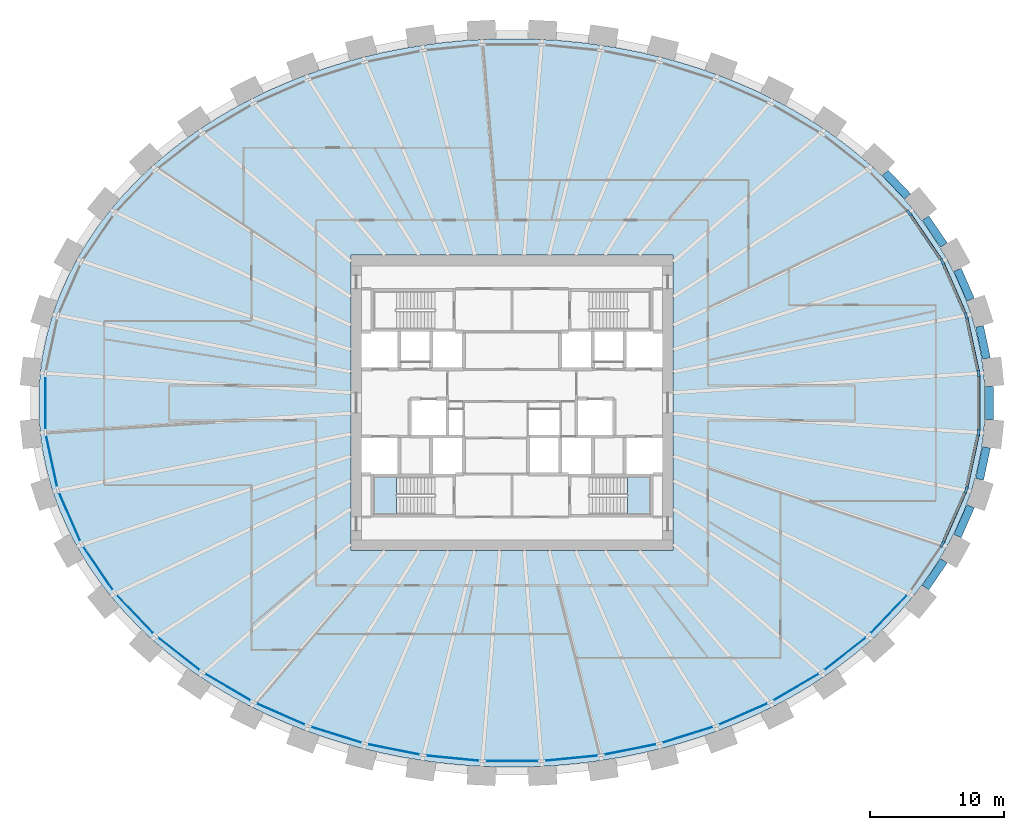
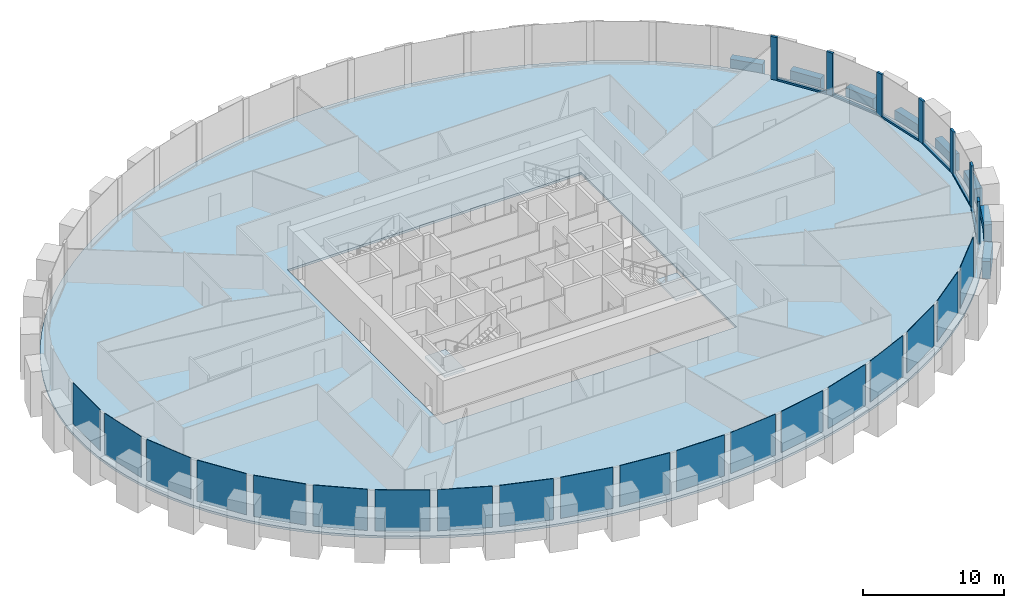
# One storey, part 4 of 11: 19 plates, 13 members, 8 beams, 3 slabs, 3 elements without a shape of their own.
"""IFC4 building model written with IfcOpenShell, lengths in metres."""

from ifc_helpers import new_model, si_unit, direction, frame, origin, origin_2d, place, context, subcontext, project, spatial, polyline, rectangle, outline, extrude, source, transform, mapped, material, layer, layer_set, material_profile, profile_set, type_object, element, aggregate, save


model = new_model("IFC4")

# Units and contexts
model_context = context("Model", 3, precision=1e-05, world=origin(), true_north=direction((0.0, 1.0)))
body_context = subcontext(model_context, "Body", "Model", "MODEL_VIEW")
ifc_project = project(units=[si_unit("LENGTHUNIT", "METRE"), si_unit("AREAUNIT", "SQUARE_METRE"), si_unit("VOLUMEUNIT", "CUBIC_METRE"), si_unit("PLANEANGLEUNIT", "RADIAN"), si_unit("MASSUNIT", "GRAM", prefix="KILO")], contexts=[model_context])

# Site, building, storey
site_placement = place(None, origin())
site = spatial("IfcSite", under=ifc_project, at=site_placement, CompositionType="ELEMENT")
building_placement = place(site_placement, origin())
building = spatial("IfcBuilding", under=site, at=building_placement, Name="Embergate Tower", CompositionType="ELEMENT")
storey_placement = place(building_placement, frame((0.0, 0.0, 199.5)))
storey = spatial("IfcBuildingStorey", under=building, at=storey_placement, Name="L45", CompositionType="ELEMENT", Elevation=199.5)

# Beams
ifc_material_1 = material(Name="Concrete C60", Category="concrete")
ifc_material_profile_1 = material_profile(ifc_material_1, rectangle(XDim=0.60009765625, YDim=1.5, at=origin_2d()), Name="RC 600x1500")
ifc_profile_set_1 = profile_set([ifc_material_profile_1], Name="Concrete C60")
beam_type = type_object("IfcBeamType", Name="Spandrel beam RC 600x1500 C60", PredefinedType="BEAM", material=ifc_profile_set_1)
shared_shape_1 = source(origin(), body_context, "Body", "SweptSolid", [
    extrude(rectangle(XDim=0.60009765625, YDim=1.5, at=origin_2d()), origin(), (0.0, 0.0, 1.0), 2.438720703125),
])
for number, where, z_axis, x_axis, name in (
    (1, (35.320068359375, 3.30908203125, 0.0), (-0.210438320614, 0.977607136439, 0.0), (-0.977607136439, -0.210438320614, 0.0), "SPN-L45-00"),
    (2, (34.806884765625, -5.693115234375, 0.0), (0.210438320614, 0.977607136439, 0.0), (-0.977607136439, 0.210438320614, 0.0), "SPN-L45-42"),
):
    element("IfcBeam", number, at=place(storey_placement, frame(where, z_axis=z_axis, x_axis=x_axis)), inside=storey, type_object=beam_type, Name=name, PredefinedType="BEAM", context=body_context, shape_type="MappedRepresentation", body=[
        mapped(shared_shape_1, transform((0.0, 0.0, 0.0))),
    ])
shared_shape_2 = source(origin(), body_context, "Body", "SweptSolid", [
    extrude(rectangle(XDim=0.60009765625, YDim=1.5, at=origin_2d()), origin(), (0.0, 0.0, 1.0), 2.431884765625),
])
for number, where, z_axis, x_axis, name in (
    (3, (34.14208984375, 7.68505859375, 0.0), (-0.401756025311, 0.915746742351, 0.0), (-0.915746742351, -0.401756025311, 0.0), "SPN-L45-01"),
    (4, (33.1650390625, -9.912109375, 0.0), (0.401756025311, 0.915746742351, 0.0), (-0.915746742351, 0.401756025311, 0.0), "SPN-L45-41"),
):
    element("IfcBeam", number, at=place(storey_placement, frame(where, z_axis=z_axis, x_axis=x_axis)), inside=storey, type_object=beam_type, Name=name, PredefinedType="BEAM", context=body_context, shape_type="MappedRepresentation", body=[
        mapped(shared_shape_2, transform((0.0, 0.0, 0.0))),
    ])
shared_shape_3 = source(origin(), body_context, "Body", "SweptSolid", [
    extrude(rectangle(XDim=0.60009765625, YDim=1.5, at=origin_2d()), origin(), (0.0, 0.0, 1.0), 2.42724609375),
])
for number, where, z_axis, x_axis, name in (
    (5, (32.14892578125, 11.7490234375, 0.0), (-0.562359541569, 0.826892826191, 0.0), (-0.826892826191, -0.562359541569, 0.0), "SPN-L45-02"),
    (6, (30.783935546875, -13.756103515625, 0.0), (0.562359541569, 0.826892826191, 0.0), (-0.826892826191, 0.562359541569, 0.0), "SPN-L45-40"),
):
    element("IfcBeam", number, at=place(storey_placement, frame(where, z_axis=z_axis, x_axis=x_axis)), inside=storey, type_object=beam_type, Name=name, PredefinedType="BEAM", context=body_context, shape_type="MappedRepresentation", body=[
        mapped(shared_shape_3, transform((0.0, 0.0, 0.0))),
    ])
shared_shape_4 = source(origin(), body_context, "Body", "SweptSolid", [
    extrude(rectangle(XDim=0.60009765625, YDim=1.5, at=origin_2d()), origin(), (0.0, 0.0, 1.0), 2.419677734375),
])
beam_1_placement = place(storey_placement, frame((29.448974609375, 15.376953125, 0.0), z_axis=(-0.69015890768, 0.723657848813, 0.0), x_axis=(-0.723657848813, -0.69015890768, 0.0)))
element("IfcBeam", 7, at=beam_1_placement, inside=storey, type_object=beam_type, Name="SPN-L45-03", PredefinedType="BEAM", context=body_context, shape_type="MappedRepresentation", body=[
    mapped(shared_shape_4, transform((0.0, 0.0, 0.0))),
])
shared_shape_5 = source(origin(), body_context, "Body", "SweptSolid", [
    extrude(rectangle(XDim=0.60009765625, YDim=1.5, at=origin_2d()), origin(), (0.0, 0.0, 1.0), 2.43994140625),
])
beam_2_placement = place(storey_placement, frame((35.5419921875, -1.219970703125, 0.0), z_axis=(0.0, 1.0, 0.0), x_axis=(-1.0, 0.0, 0.0)))
element("IfcBeam", 8, at=beam_2_placement, inside=storey, type_object=beam_type, Name="SPN-L45-43", PredefinedType="BEAM", context=body_context, shape_type="MappedRepresentation", body=[
    mapped(shared_shape_5, transform((0.0, 0.0, 0.0))),
])

# Curtain wall, members
ifc_material_2 = material(Name="Aluminium and glass", Category="aluminium")
curtain_wall_type = type_object("IfcCurtainWallType", Name="Recessed office glazing", PredefinedType="NOTDEFINED", material=ifc_material_2)
curtain_wall_placement = place(storey_placement, origin())
curtain_wall = element("IfcCurtainWall", 9, at=curtain_wall_placement, inside=storey, type_object=curtain_wall_type, Name="Recessed office glazing ring", ObjectType="RECESSED OFFICE GLAZING", PredefinedType="USERDEFINED")
ifc_material_3 = material(Name="Aluminium, thermally broken", Category="aluminium")
ifc_material_profile_2 = material_profile(ifc_material_3, rectangle(XDim=0.179931640625, YDim=0.52001953125, at=origin_2d()), Name="AL 520x180")
ifc_profile_set_2 = profile_set([ifc_material_profile_2], Name="Aluminium, thermally broken")
member_type_1 = type_object("IfcMemberType", Name="Office mullion", PredefinedType="MULLION", material=ifc_profile_set_2)
shared_shape_6 = source(origin(), body_context, "Body", "SweptSolid", [
    extrude(rectangle(XDim=0.179931640625, YDim=0.52001953125, at=origin_2d()), origin(), (0.0, 0.0, 1.0), 3.699951171875),
])
member_1_placement = place(storey_placement, frame((34.734619140625, 2.189697265625, 0.0), z_axis=(0.0, 0.0, 1.0), x_axis=(-0.994385139431, -0.105821521816, 0.0)))
member_1 = element("IfcMember", 10, at=member_1_placement, type_object=member_type_1, Name="CW mullion 1", PredefinedType="MULLION", context=body_context, shape_type="MappedRepresentation", body=[
    mapped(shared_shape_6, transform((0.0, 0.0, 0.0))),
])
member_2_placement = place(storey_placement, frame((33.812744140625, 6.473388671875, 0.0), z_axis=(0.0, 0.0, 1.0), x_axis=(-0.95149940886, -0.307650572791, 0.0)))
member_2 = element("IfcMember", 11, at=member_2_placement, type_object=member_type_1, Name="CW mullion 2", PredefinedType="MULLION", context=body_context, shape_type="MappedRepresentation", body=[
    mapped(shared_shape_6, transform((0.0, 0.0, 0.0))),
])
member_3_placement = place(storey_placement, frame((32.050048828125, 10.492431640625, 0.0), z_axis=(0.0, 0.0, 1.0), x_axis=(-0.875006120538, -0.484111855898, 0.0)))
member_3 = element("IfcMember", 12, at=member_3_placement, type_object=member_type_1, Name="CW mullion 3", PredefinedType="MULLION", context=body_context, shape_type="MappedRepresentation", body=[
    mapped(shared_shape_6, transform((0.0, 0.0, 0.0))),
])
member_4_placement = place(storey_placement, frame((29.577392578125, 14.128662109375, 0.0), z_axis=(0.0, 0.0, 1.0), x_axis=(-0.777879145133, -0.628413904658, 0.0)))
member_4 = element("IfcMember", 13, at=member_4_placement, type_object=member_type_1, Name="CW mullion 4", PredefinedType="MULLION", context=body_context, shape_type="MappedRepresentation", body=[
    mapped(shared_shape_6, transform((0.0, 0.0, 0.0))),
])
member_5_placement = place(storey_placement, frame((32.050048828125, -10.492431640625, 0.0), z_axis=(0.0, 0.0, 1.0), x_axis=(-0.875006120538, 0.484111855898, 0.0)))
member_5 = element("IfcMember", 14, at=member_5_placement, type_object=member_type_1, Name="CW mullion 42", PredefinedType="MULLION", context=body_context, shape_type="MappedRepresentation", body=[
    mapped(shared_shape_6, transform((0.0, 0.0, 0.0))),
])
member_6_placement = place(storey_placement, frame((33.812744140625, -6.473388671875, 0.0), z_axis=(0.0, 0.0, 1.0), x_axis=(-0.95149940886, 0.307650572791, 0.0)))
member_6 = element("IfcMember", 15, at=member_6_placement, type_object=member_type_1, Name="CW mullion 43", PredefinedType="MULLION", context=body_context, shape_type="MappedRepresentation", body=[
    mapped(shared_shape_6, transform((0.0, 0.0, 0.0))),
])
member_7_placement = place(storey_placement, frame((34.734619140625, -2.189697265625, 0.0), z_axis=(0.0, 0.0, 1.0), x_axis=(-0.994385139431, 0.105821521816, 0.0)))
member_7 = element("IfcMember", 16, at=member_7_placement, type_object=member_type_1, Name="CW mullion 44", PredefinedType="MULLION", context=body_context, shape_type="MappedRepresentation", body=[
    mapped(shared_shape_6, transform((0.0, 0.0, 0.0))),
])
ifc_material_profile_3 = material_profile(ifc_material_3, rectangle(XDim=0.179931640625, YDim=0.14990234375, at=origin_2d()), Name="AL 150x180")
ifc_profile_set_3 = profile_set([ifc_material_profile_3], Name="Aluminium, thermally broken")
member_type_2 = type_object("IfcMemberType", Name="Office sill transom", PredefinedType="USERDEFINED", material=ifc_profile_set_3)
shared_shape_7 = source(origin(), body_context, "Body", "SweptSolid", [
    extrude(rectangle(XDim=0.179931640625, YDim=0.14990234375, at=origin_2d()), origin(), (0.0, 0.0, 1.0), 3.861572265625),
])
member_8_placement = place(storey_placement, frame((34.679931640625, 2.44384765625, 0.074951171875), z_axis=(-0.210405488485, 0.97761420326, 0.0), x_axis=(-0.97761420326, -0.210405488485, 0.0)))
member_8 = element("IfcMember", 17, at=member_8_placement, type_object=member_type_2, Name="CW transom 1.1", ObjectType="TRANSOM", PredefinedType="USERDEFINED", context=body_context, shape_type="MappedRepresentation", body=[
    mapped(shared_shape_7, transform((0.0, 0.0, 0.0))),
])
member_9_placement = place(storey_placement, frame((33.867431640625, -6.218994140625, 0.074951171875), z_axis=(0.210405488485, 0.97761420326, 0.0), x_axis=(-0.97761420326, 0.210405488485, 0.0)))
member_9 = element("IfcMember", 18, at=member_9_placement, type_object=member_type_2, Name="CW transom 43.1", ObjectType="TRANSOM", PredefinedType="USERDEFINED", context=body_context, shape_type="MappedRepresentation", body=[
    mapped(shared_shape_7, transform((0.0, 0.0, 0.0))),
])
shared_shape_8 = source(origin(), body_context, "Body", "SweptSolid", [
    extrude(rectangle(XDim=0.179931640625, YDim=0.14990234375, at=origin_2d()), origin(), (0.0, 0.0, 1.0), 3.86865234375),
])
member_10_placement = place(storey_placement, frame((33.708251953125, 6.71142578125, 0.074951171875), z_axis=(-0.401613211287, 0.915809384381, 0.0), x_axis=(-0.915809384381, -0.401613211287, 0.0)))
member_10 = element("IfcMember", 19, at=member_10_placement, type_object=member_type_2, Name="CW transom 2.1", ObjectType="TRANSOM", PredefinedType="USERDEFINED", context=body_context, shape_type="MappedRepresentation", body=[
    mapped(shared_shape_8, transform((0.0, 0.0, 0.0))),
])
member_11_placement = place(storey_placement, frame((32.154541015625, -10.25439453125, 0.074951171875), z_axis=(0.401613211287, 0.915809384381, 0.0), x_axis=(-0.915809384381, 0.401613211287, 0.0)))
member_11 = element("IfcMember", 20, at=member_11_placement, type_object=member_type_2, Name="CW transom 42.1", ObjectType="TRANSOM", PredefinedType="USERDEFINED", context=body_context, shape_type="MappedRepresentation", body=[
    mapped(shared_shape_8, transform((0.0, 0.0, 0.0))),
])
shared_shape_9 = source(origin(), body_context, "Body", "SweptSolid", [
    extrude(rectangle(XDim=0.179931640625, YDim=0.14990234375, at=origin_2d()), origin(), (0.0, 0.0, 1.0), 3.87744140625),
])
member_12_placement = place(storey_placement, frame((31.90380859375, 10.70751953125, 0.074951171875), z_axis=(-0.562334132223, 0.826910106201, 0.0), x_axis=(-0.826910106201, -0.562334132223, 0.0)))
member_12 = element("IfcMember", 21, at=member_12_placement, type_object=member_type_2, Name="CW transom 3.1", ObjectType="TRANSOM", PredefinedType="USERDEFINED", context=body_context, shape_type="MappedRepresentation", body=[
    mapped(shared_shape_9, transform((0.0, 0.0, 0.0))),
])
shared_shape_10 = source(origin(), body_context, "Body", "SweptSolid", [
    extrude(rectangle(XDim=0.179931640625, YDim=0.14990234375, at=origin_2d()), origin(), (0.0, 0.0, 1.0), 3.859375),
])
member_13_placement = place(storey_placement, frame((34.734619140625, -1.9296875, 0.074951171875), z_axis=(0.0, 1.0, 0.0), x_axis=(-1.0, 0.0, 0.0)))
member_13 = element("IfcMember", 22, at=member_13_placement, type_object=member_type_2, Name="CW transom 44.1", ObjectType="TRANSOM", PredefinedType="USERDEFINED", context=body_context, shape_type="MappedRepresentation", body=[
    mapped(shared_shape_10, transform((0.0, 0.0, 0.0))),
])

# Slab
ifc_material_4 = material(Name="Concrete C40", Category="concrete")
ifc_layer_1 = layer(ifc_material_4, 0.199951171875)
ifc_layer_set_1 = layer_set([ifc_layer_1], Name="Concrete C40")
slab_type_1 = type_object("IfcSlabType", Name="Composite floor slab C40 200", PredefinedType="FLOOR", material=ifc_layer_set_1)
shared_shape_11 = source(origin(), body_context, "Body", "SweptSolid", [
    extrude(outline(polyline([(0.0, 0.0), (1.490234375, 0.0), (2.980224609375, 0.049072265625), (4.47021484375, 0.14599609375), (5.953125, 0.2919921875), (7.427001953125, 0.486083984375), (8.904052734375, 0.72998046875), (10.365234375, 1.02392578125), (11.80908203125, 1.364990234375), (13.256103515625, 1.760009765625), (14.67919921875, 2.203125), (16.0751953125, 2.693115234375), (17.47412109375, 3.242919921875), (18.840087890625, 3.840087890625), (20.169189453125, 4.48388671875), (21.498046875, 5.193115234375), (22.783203125, 5.947998046875), (24.02099609375, 6.748046875), (25.251220703125, 7.62109375), (26.426025390625, 8.5380859375), (27.543212890625, 9.4970703125), (28.63916015625, 10.534912109375), (29.667236328125, 11.613037109375), (30.625, 12.72900390625), (31.544189453125, 13.926025390625), (32.381103515625, 15.157958984375), (33.13623046875, 16.422119140625), (33.8271484375, 17.759033203125), (34.425048828125, 19.123046875), (34.92919921875, 20.510009765625), (35.34423828125, 21.949951171875), (35.658203125, 23.406005859375), (35.8671875, 24.873046875), (35.97412109375, 26.360107421875), (35.97412109375, 27.847900390625), (35.8671875, 29.3349609375), (35.658203125, 30.802001953125), (35.34423828125, 32.258056640625), (34.92919921875, 33.697998046875), (34.425048828125, 35.0849609375), (33.8271484375, 36.448974609375), (33.13623046875, 37.785888671875), (32.381103515625, 39.050048828125), (31.544189453125, 40.281982421875), (30.625, 41.47900390625), (29.667236328125, 42.594970703125), (28.63916015625, 43.673095703125), (27.543212890625, 44.7109375), (26.426025390625, 45.669921875), (25.251220703125, 46.5869140625), (24.02099609375, 47.4599609375), (22.783203125, 48.260009765625), (21.498046875, 49.014892578125), (20.169189453125, 49.72412109375), (18.840087890625, 50.367919921875), (17.47412109375, 50.965087890625), (16.0751953125, 51.514892578125), (14.67919921875, 52.0048828125), (13.256103515625, 52.447998046875), (11.80908203125, 52.843017578125), (10.365234375, 53.18408203125), (8.904052734375, 53.47802734375), (7.427001953125, 53.721923828125), (5.953125, 53.916015625), (4.47021484375, 54.06201171875), (2.980224609375, 54.158935546875), (1.490234375, 54.2080078125), (0.0, 54.2080078125), (-1.489990234375, 54.158935546875), (-2.97998046875, 54.06201171875), (-4.462890625, 53.916015625), (-5.936767578125, 53.721923828125), (-7.413818359375, 53.47802734375), (-8.875, 53.18408203125), (-10.31884765625, 52.843017578125), (-11.765869140625, 52.447998046875), (-13.18896484375, 52.0048828125), (-14.5849609375, 51.514892578125), (-15.98388671875, 50.965087890625), (-17.349853515625, 50.367919921875), (-18.678955078125, 49.72412109375), (-20.0078125, 49.014892578125), (-21.29296875, 48.260009765625), (-22.53076171875, 47.4599609375), (-23.760986328125, 46.5869140625), (-24.935791015625, 45.669921875), (-26.052978515625, 44.7109375), (-27.14892578125, 43.673095703125), (-28.177001953125, 42.594970703125), (-29.134765625, 41.47900390625), (-30.053955078125, 40.281982421875), (-30.890869140625, 39.050048828125), (-31.64599609375, 37.785888671875), (-32.3369140625, 36.448974609375), (-32.934814453125, 35.0849609375), (-33.43896484375, 33.697998046875), (-33.85400390625, 32.258056640625), (-34.16796875, 30.802001953125), (-34.376953125, 29.3349609375), (-34.48388671875, 27.847900390625), (-34.48388671875, 26.360107421875), (-34.376953125, 24.873046875), (-34.16796875, 23.406005859375), (-33.85400390625, 21.949951171875), (-33.43896484375, 20.510009765625), (-32.934814453125, 19.123046875), (-32.3369140625, 17.759033203125), (-31.64599609375, 16.422119140625), (-30.890869140625, 15.157958984375), (-30.053955078125, 13.926025390625), (-29.134765625, 12.72900390625), (-28.177001953125, 11.613037109375), (-27.14892578125, 10.534912109375), (-26.052978515625, 9.4970703125), (-24.935791015625, 8.5380859375), (-23.760986328125, 7.62109375), (-22.53076171875, 6.748046875), (-21.29296875, 5.947998046875), (-20.0078125, 5.193115234375), (-18.678955078125, 4.48388671875), (-17.349853515625, 3.840087890625), (-15.98388671875, 3.242919921875), (-14.5849609375, 2.693115234375), (-13.18896484375, 2.203125), (-11.765869140625, 1.760009765625), (-10.31884765625, 1.364990234375), (-8.875, 1.02392578125), (-7.413818359375, 0.72998046875), (-5.936767578125, 0.486083984375), (-4.462890625, 0.2919921875), (-2.97998046875, 0.14599609375), (-1.489990234375, 0.049072265625), (0.0, 0.0)]), holes=[polyline([(-11.2548828125, 16.10400390625), (-11.2548828125, 38.10400390625), (12.7451171875, 38.10400390625), (12.7451171875, 16.10400390625), (-11.2548828125, 16.10400390625)])]), origin(), (0.0, 0.0, 1.0), 0.199951171875),
])
slab_1_placement = place(storey_placement, frame((-0.7451171875, -27.10400390625, -0.199951171875)))
element("IfcSlab", 23, at=slab_1_placement, inside=storey, type_object=slab_type_1, Name="SLB-L45-00", PredefinedType="FLOOR", context=body_context, shape_type="MappedRepresentation", body=[
    mapped(shared_shape_11, transform((0.0, 0.0, 0.0))),
])

# Plate
ifc_material_5 = material(Name="Triple glazing, low-emissivity coating", Category="glass")
ifc_layer_2 = layer(ifc_material_5, 0.035888671875)
ifc_layer_set_2 = layer_set([ifc_layer_2], Name="Triple glazing, low-emissivity coating")
plate_type = type_object("IfcPlateType", Name="Office glazing unit", PredefinedType="CURTAIN_PANEL", material=ifc_layer_set_2)
shared_shape_12 = source(origin(), body_context, "Body", "SweptSolid", [
    extrude(rectangle(XDim=3.86181640625, YDim=0.035888671875, at=origin_2d()), origin(), (0.0, 0.0, 1.0), 3.550048828125),
])
plate_1_placement = place(storey_placement, frame((-34.273681640625, -4.331298828125, 0.14990234375), z_axis=(0.0, 0.0, 1.0), x_axis=(0.21039327239, -0.97761683237, 0.0)))
plate_1 = element("IfcPlate", 24, at=plate_1_placement, type_object=plate_type, Name="CW panel 23.1", PredefinedType="CURTAIN_PANEL", context=body_context, shape_type="MappedRepresentation", body=[
    mapped(shared_shape_12, transform((0.0, 0.0, 0.0))),
])

shared_shape_13 = source(origin(), body_context, "Body", "SweptSolid", [
    extrude(rectangle(XDim=3.86865234375, YDim=0.035888671875, at=origin_2d()), origin(), (0.0, 0.0, 1.0), 3.550048828125),
])
plate_2_placement = place(storey_placement, frame((-32.931396484375, -8.48291015625, 0.14990234375), z_axis=(0.0, 0.0, 1.0), x_axis=(0.401644109346, -0.915795833921, 0.0)))
plate_2 = element("IfcPlate", 25, at=plate_2_placement, type_object=plate_type, Name="CW panel 24.1", PredefinedType="CURTAIN_PANEL", context=body_context, shape_type="MappedRepresentation", body=[
    mapped(shared_shape_13, transform((0.0, 0.0, 0.0))),
])

shared_shape_14 = source(origin(), body_context, "Body", "SweptSolid", [
    extrude(rectangle(XDim=3.87744140625, YDim=0.035888671875, at=origin_2d()), origin(), (0.0, 0.0, 1.0), 3.550048828125),
])
plate_3_placement = place(storey_placement, frame((-30.813720703125, -12.310546875, 0.14990234375), z_axis=(0.0, 0.0, 1.0), x_axis=(0.562331639324, -0.826911801473, 0.0)))
plate_3 = element("IfcPlate", 26, at=plate_3_placement, type_object=plate_type, Name="CW panel 25.1", PredefinedType="CURTAIN_PANEL", context=body_context, shape_type="MappedRepresentation", body=[
    mapped(shared_shape_14, transform((0.0, 0.0, 0.0))),
])

shared_shape_15 = source(origin(), body_context, "Body", "SweptSolid", [
    extrude(rectangle(XDim=3.885986328125, YDim=0.035888671875, at=origin_2d()), origin(), (0.0, 0.0, 1.0), 3.550048828125),
])
plate_4_placement = place(storey_placement, frame((-28.056884765625, -15.722900390625, 0.14990234375), z_axis=(0.0, 0.0, 1.0), x_axis=(0.690123679893, -0.723691444229, 0.0)))
plate_4 = element("IfcPlate", 27, at=plate_4_placement, type_object=plate_type, Name="CW panel 26.1", PredefinedType="CURTAIN_PANEL", context=body_context, shape_type="MappedRepresentation", body=[
    mapped(shared_shape_15, transform((0.0, 0.0, 0.0))),
])

plate_5_placement = place(storey_placement, frame((28.056884765625, -15.722900390625, 0.14990234375), z_axis=(0.0, 0.0, 1.0), x_axis=(0.690123679893, 0.723691444229, 0.0)))
plate_5 = element("IfcPlate", 28, at=plate_5_placement, type_object=plate_type, Name="CW panel 40.1", PredefinedType="CURTAIN_PANEL", context=body_context, shape_type="MappedRepresentation", body=[
    mapped(shared_shape_15, transform((0.0, 0.0, 0.0))),
])

shared_shape_16 = source(origin(), body_context, "Body", "SweptSolid", [
    extrude(rectangle(XDim=3.893310546875, YDim=0.035888671875, at=origin_2d()), origin(), (0.0, 0.0, 1.0), 3.550048828125),
])
plate_6_placement = place(storey_placement, frame((-24.797119140625, -18.675048828125, 0.14990234375), z_axis=(0.0, 0.0, 1.0), x_axis=(0.788311528453, -0.615276307123, 0.0)))
plate_6 = element("IfcPlate", 29, at=plate_6_placement, type_object=plate_type, Name="CW panel 27.1", PredefinedType="CURTAIN_PANEL", context=body_context, shape_type="MappedRepresentation", body=[
    mapped(shared_shape_16, transform((0.0, 0.0, 0.0))),
])

plate_7_placement = place(storey_placement, frame((24.797119140625, -18.675048828125, 0.14990234375), z_axis=(0.0, 0.0, 1.0), x_axis=(0.788311528453, 0.615276307123, 0.0)))
plate_7 = element("IfcPlate", 30, at=plate_7_placement, type_object=plate_type, Name="CW panel 39.1", PredefinedType="CURTAIN_PANEL", context=body_context, shape_type="MappedRepresentation", body=[
    mapped(shared_shape_16, transform((0.0, 0.0, 0.0))),
])

shared_shape_17 = source(origin(), body_context, "Body", "SweptSolid", [
    extrude(rectangle(XDim=3.8994140625, YDim=0.035888671875, at=origin_2d()), origin(), (0.0, 0.0, 1.0), 3.550048828125),
])
plate_8_placement = place(storey_placement, frame((-21.152587890625, -21.152587890625, 0.14990234375), z_axis=(0.0, 0.0, 1.0), x_axis=(0.862046091215, -0.506829889234, 0.0)))
plate_8 = element("IfcPlate", 31, at=plate_8_placement, type_object=plate_type, Name="CW panel 28.1", PredefinedType="CURTAIN_PANEL", context=body_context, shape_type="MappedRepresentation", body=[
    mapped(shared_shape_17, transform((0.0, 0.0, 0.0))),
])

plate_9_placement = place(storey_placement, frame((21.152587890625, -21.152587890625, 0.14990234375), z_axis=(0.0, 0.0, 1.0), x_axis=(0.862046091215, 0.506829889234, 0.0)))
plate_9 = element("IfcPlate", 32, at=plate_9_placement, type_object=plate_type, Name="CW panel 38.1", PredefinedType="CURTAIN_PANEL", context=body_context, shape_type="MappedRepresentation", body=[
    mapped(shared_shape_17, transform((0.0, 0.0, 0.0))),
])

shared_shape_18 = source(origin(), body_context, "Body", "SweptSolid", [
    extrude(rectangle(XDim=3.90380859375, YDim=0.035888671875, at=origin_2d()), origin(), (0.0, 0.0, 1.0), 3.550048828125),
])
plate_10_placement = place(storey_placement, frame((-17.22119140625, -23.158935546875, 0.14990234375), z_axis=(0.0, 0.0, 1.0), x_axis=(0.91623131695, -0.400649689679, 0.0)))
plate_10 = element("IfcPlate", 33, at=plate_10_placement, type_object=plate_type, Name="CW panel 29.1", PredefinedType="CURTAIN_PANEL", context=body_context, shape_type="MappedRepresentation", body=[
    mapped(shared_shape_18, transform((0.0, 0.0, 0.0))),
])

plate_11_placement = place(storey_placement, frame((17.22119140625, -23.158935546875, 0.14990234375), z_axis=(0.0, 0.0, 1.0), x_axis=(0.91623131695, 0.400649689679, 0.0)))
plate_11 = element("IfcPlate", 34, at=plate_11_placement, type_object=plate_type, Name="CW panel 37.1", PredefinedType="CURTAIN_PANEL", context=body_context, shape_type="MappedRepresentation", body=[
    mapped(shared_shape_18, transform((0.0, 0.0, 0.0))),
])

shared_shape_19 = source(origin(), body_context, "Body", "SweptSolid", [
    extrude(rectangle(XDim=3.906982421875, YDim=0.035888671875, at=origin_2d()), origin(), (0.0, 0.0, 1.0), 3.550048828125),
])
plate_12_placement = place(storey_placement, frame((-13.0810546875, -24.703369140625, 0.14990234375), z_axis=(0.0, 0.0, 1.0), x_axis=(0.954769622373, -0.297346545624, 0.0)))
plate_12 = element("IfcPlate", 35, at=plate_12_placement, type_object=plate_type, Name="CW panel 30.1", PredefinedType="CURTAIN_PANEL", context=body_context, shape_type="MappedRepresentation", body=[
    mapped(shared_shape_19, transform((0.0, 0.0, 0.0))),
])

plate_13_placement = place(storey_placement, frame((13.0810546875, -24.703369140625, 0.14990234375), z_axis=(0.0, 0.0, 1.0), x_axis=(0.954769622373, 0.297346545624, 0.0)))
plate_13 = element("IfcPlate", 36, at=plate_13_placement, type_object=plate_type, Name="CW panel 36.1", PredefinedType="CURTAIN_PANEL", context=body_context, shape_type="MappedRepresentation", body=[
    mapped(shared_shape_19, transform((0.0, 0.0, 0.0))),
])

shared_shape_20 = source(origin(), body_context, "Body", "SweptSolid", [
    extrude(rectangle(XDim=3.9091796875, YDim=0.035888671875, at=origin_2d()), origin(), (0.0, 0.0, 1.0), 3.550048828125),
])
plate_14_placement = place(storey_placement, frame((-8.796142578125, -25.797119140625, 0.14990234375), z_axis=(0.0, 0.0, 1.0), x_axis=(0.980474534584, -0.196646095898, 0.0)))
plate_14 = element("IfcPlate", 37, at=plate_14_placement, type_object=plate_type, Name="CW panel 31.1", PredefinedType="CURTAIN_PANEL", context=body_context, shape_type="MappedRepresentation", body=[
    mapped(shared_shape_20, transform((0.0, 0.0, 0.0))),
])

plate_15_placement = place(storey_placement, frame((8.796142578125, -25.797119140625, 0.14990234375), z_axis=(0.0, 0.0, 1.0), x_axis=(0.980474534584, 0.196646095898, 0.0)))
plate_15 = element("IfcPlate", 38, at=plate_15_placement, type_object=plate_type, Name="CW panel 35.1", PredefinedType="CURTAIN_PANEL", context=body_context, shape_type="MappedRepresentation", body=[
    mapped(shared_shape_20, transform((0.0, 0.0, 0.0))),
])

shared_shape_21 = source(origin(), body_context, "Body", "SweptSolid", [
    extrude(rectangle(XDim=3.91064453125, YDim=0.035888671875, at=origin_2d()), origin(), (0.0, 0.0, 1.0), 3.550048828125),
])
plate_16_placement = place(storey_placement, frame((-4.420166015625, -26.44921875, 0.14990234375), z_axis=(0.0, 0.0, 1.0), x_axis=(0.995202843292, -0.097833024602, 0.0)))
plate_16 = element("IfcPlate", 39, at=plate_16_placement, type_object=plate_type, Name="CW panel 32.1", PredefinedType="CURTAIN_PANEL", context=body_context, shape_type="MappedRepresentation", body=[
    mapped(shared_shape_21, transform((0.0, 0.0, 0.0))),
])

plate_17_placement = place(storey_placement, frame((4.420166015625, -26.44921875, 0.14990234375), z_axis=(0.0, 0.0, 1.0), x_axis=(0.995202843292, 0.097833024602, 0.0)))
plate_17 = element("IfcPlate", 40, at=plate_17_placement, type_object=plate_type, Name="CW panel 34.1", PredefinedType="CURTAIN_PANEL", context=body_context, shape_type="MappedRepresentation", body=[
    mapped(shared_shape_21, transform((0.0, 0.0, 0.0))),
])

shared_shape_22 = source(origin(), body_context, "Body", "SweptSolid", [
    extrude(rectangle(XDim=3.910888671875, YDim=0.035888671875, at=origin_2d()), origin(), (0.0, 0.0, 1.0), 3.550048828125),
])
plate_18_placement = place(storey_placement, frame((0.0, -26.666015625, 0.14990234375), z_axis=(0.0, 0.0, 1.0), x_axis=(1.0, 0.0, 0.0)))
plate_18 = element("IfcPlate", 41, at=plate_18_placement, type_object=plate_type, Name="CW panel 33.1", PredefinedType="CURTAIN_PANEL", context=body_context, shape_type="MappedRepresentation", body=[
    mapped(shared_shape_22, transform((0.0, 0.0, 0.0))),
])

shared_shape_23 = source(origin(), body_context, "Body", "SweptSolid", [
    extrude(rectangle(XDim=3.859130859375, YDim=0.035888671875, at=origin_2d()), origin(), (0.0, 0.0, 1.0), 3.550048828125),
])
plate_19_placement = place(storey_placement, frame((-34.734619140625, 0.0, 0.14990234375), z_axis=(0.0, 0.0, 1.0), x_axis=(0.0, -1.0, 0.0)))
plate_19 = element("IfcPlate", 42, at=plate_19_placement, type_object=plate_type, Name="CW panel 22.1", PredefinedType="CURTAIN_PANEL", context=body_context, shape_type="MappedRepresentation", body=[
    mapped(shared_shape_23, transform((0.0, 0.0, 0.0))),
])

aggregate(curtain_wall, [member_1, member_2, member_3, member_4, member_5, member_6, member_7, member_8, member_10, member_12, plate_19, plate_1, plate_2, plate_3, plate_4, plate_6, plate_8, plate_10, plate_12, plate_14, plate_16, plate_18, plate_17, plate_15, plate_13, plate_11, plate_9, plate_7, plate_5, member_11, member_9, member_13])

# Stair, slab
ifc_material_6 = material(Name="Exit stair")
stair_type = type_object("IfcStairType", Name="Exit stair", PredefinedType="HALF_TURN_STAIR", material=ifc_material_6)
stair_1_placement = place(storey_placement, origin())
stair_1 = element("IfcStair", 43, at=stair_1_placement, inside=storey, type_object=stair_type, Name="L45 Exit stair 3", PredefinedType="HALF_TURN_STAIR")
ifc_layer_3 = layer(ifc_material_4, 0.199951171875)
ifc_layer_set_3 = layer_set([ifc_layer_3], Name="Concrete C40")
slab_type_2 = type_object("IfcSlabType", Name="Stair landing reinforced concrete", PredefinedType="LANDING", material=ifc_layer_set_3)
shared_shape_24 = source(origin(), body_context, "Body", "SweptSolid", [
    extrude(outline(polyline([(0.0, 0.0), (1.68994140625, 0.0), (1.68994140625, 2.800048828125), (0.0, 2.800048828125), (0.0, 0.0)])), origin(), (0.0, 0.0, 1.0), 0.199951171875),
])
slab_2_placement = place(storey_placement, frame((-10.300048828125, -8.300048828125, 1.75)))
slab_2 = element("IfcSlab", 44, at=slab_2_placement, type_object=slab_type_2, Name="ST3 landing 1", PredefinedType="LANDING", context=body_context, shape_type="MappedRepresentation", body=[
    mapped(shared_shape_24, transform((0.0, 0.0, 0.0))),
])
aggregate(stair_1, [slab_2])

stair_2_placement = place(storey_placement, origin())
stair_2 = element("IfcStair", 45, at=stair_2_placement, inside=storey, type_object=stair_type, Name="L45 Exit stair 4", PredefinedType="HALF_TURN_STAIR")
slab_3_placement = place(storey_placement, frame((8.610107421875, -8.300048828125, 1.75)))
slab_3 = element("IfcSlab", 46, at=slab_3_placement, type_object=slab_type_2, Name="ST4 landing 1", PredefinedType="LANDING", context=body_context, shape_type="MappedRepresentation", body=[
    mapped(shared_shape_24, transform((0.0, 0.0, 0.0))),
])
aggregate(stair_2, [slab_3])

save(model, "model.ifc")
